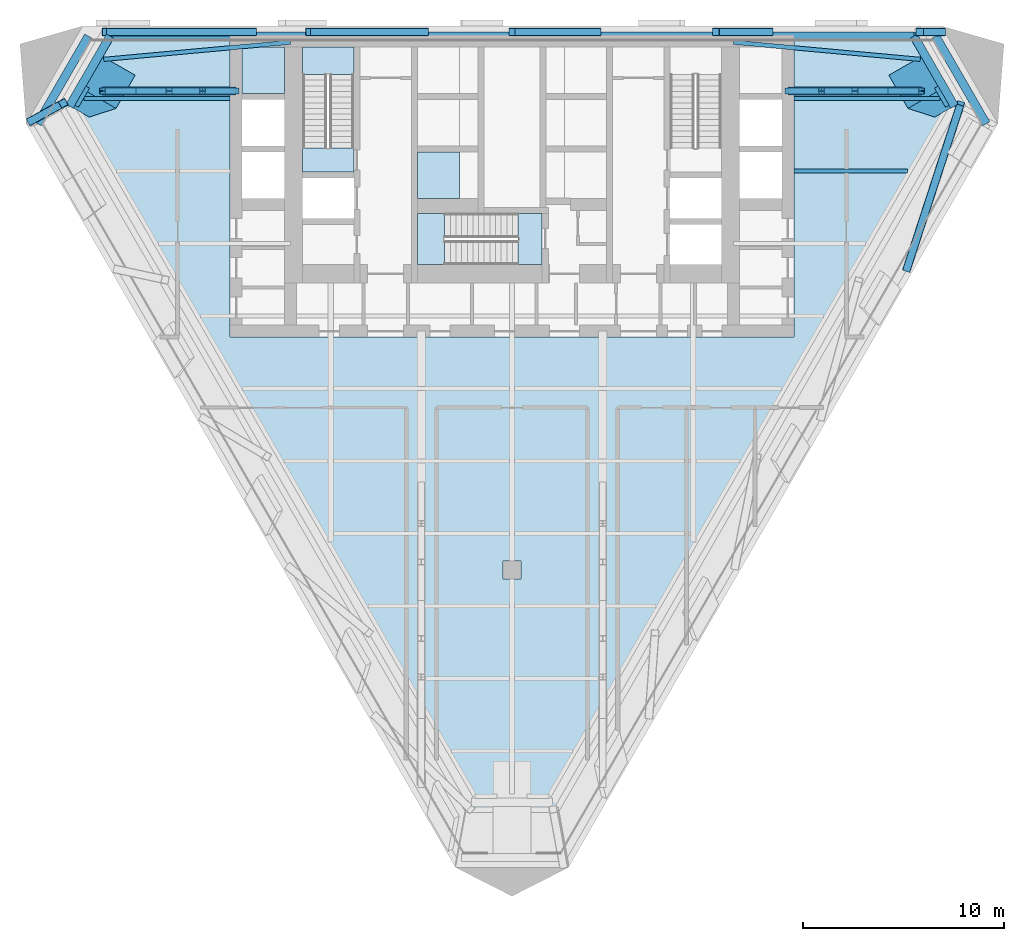
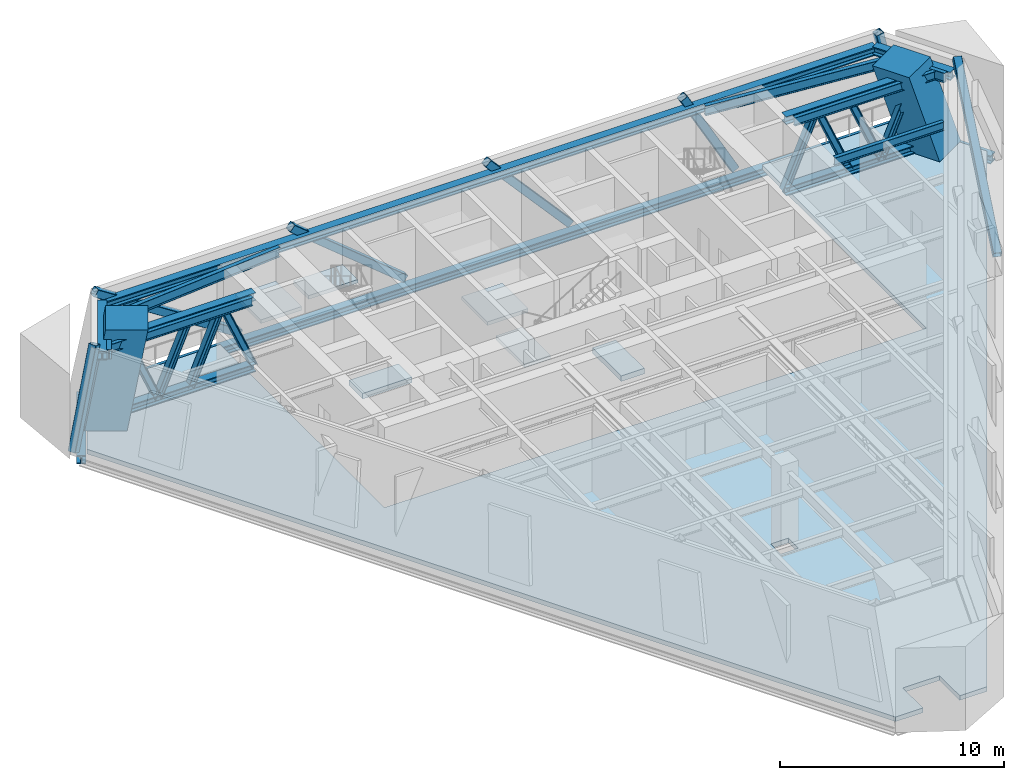
# One storey, part 2 of 12: 17 beams, 17 members, 7 slabs, 2 elements without a shape of their own.
"""IFC4 building model written with IfcOpenShell, lengths in metres."""

from ifc_helpers import new_model, si_unit, direction, frame, origin, origin_2d, place, context, subcontext, project, spatial, polyline, rectangle, hollow_rectangle, i_section, outline, extrude, material, layer, layer_set, material_profile, profile_set, type_object, element, aggregate, save


model = new_model("IFC4")

# Units and contexts
model_context = context("Model", 3, precision=1e-05, world=origin(), true_north=direction((0.0, 1.0)))
body_context = subcontext(model_context, "Body", "Model", "MODEL_VIEW")
ifc_project = project(units=[si_unit("LENGTHUNIT", "METRE"), si_unit("AREAUNIT", "SQUARE_METRE"), si_unit("VOLUMEUNIT", "CUBIC_METRE"), si_unit("PLANEANGLEUNIT", "RADIAN"), si_unit("MASSUNIT", "GRAM", prefix="KILO")], contexts=[model_context])

# Site, building, storey
site_placement = place(None, origin())
site = spatial("IfcSite", under=ifc_project, at=site_placement, CompositionType="ELEMENT")
building_placement = place(site_placement, origin())
building = spatial("IfcBuilding", under=site, at=building_placement, Name="Aloe Facet Convention Tower", CompositionType="ELEMENT")
storey_placement = place(building_placement, frame((0.0, 0.0, 123.800048828125)))
storey = spatial("IfcBuildingStorey", under=building, at=storey_placement, Name="L31", CompositionType="ELEMENT", Elevation=123.800048828125)

# Beams
ifc_material_1 = material(Name="Steel S355", Category="steel")
ifc_material_profile_1 = material_profile(ifc_material_1, i_section(OverallWidth=0.19140625, OverallDepth=0.4599609375, WebThickness=0.010009765625, FlangeThickness=0.01611328125, FilletRadius=0.01025390625, at=origin_2d()), Name="UB 457x191x82")
ifc_profile_set_1 = profile_set([ifc_material_profile_1], Name="Steel S355")
beam_type_1 = type_object("IfcBeamType", Name="SF-B-UB457x191x82", PredefinedType="BEAM", material=ifc_profile_set_1)
beam_1_placement = place(storey_placement, frame((58.73828125, 131.39990234375, 4.119873046875), z_axis=(1.0, 0.0, 0.0), x_axis=(0.0, 1.0, 0.0)))
element("IfcBeam", 1, at=beam_1_placement, inside=storey, type_object=beam_type_1, Name="Floor beam FB-Z3A-013", PredefinedType="BEAM", context=body_context, shape_type="SweptSolid", body=[
    extrude(i_section(OverallWidth=0.19140625, OverallDepth=0.4599609375, WebThickness=0.010009765625, FlangeThickness=0.01611328125, FilletRadius=0.01025390625, at=origin_2d()), origin(), (0.0, 0.0, 1.0), 7.26171875),
])
beam_2_placement = place(storey_placement, frame((94.0, 127.800048828125, 4.119873046875), z_axis=(1.0, 0.0, 0.0), x_axis=(0.0, 1.0, 0.0)))
element("IfcBeam", 2, at=beam_2_placement, inside=storey, type_object=beam_type_1, Name="Floor beam FB-Z3A-037", PredefinedType="BEAM", context=body_context, shape_type="SweptSolid", body=[
    extrude(i_section(OverallWidth=0.19140625, OverallDepth=0.4599609375, WebThickness=0.010009765625, FlangeThickness=0.01611328125, FilletRadius=0.01025390625, at=origin_2d()), origin(), (0.0, 0.0, 1.0), 5.626220703125),
])
beam_3_placement = place(storey_placement, frame((94.0, 131.39990234375, 4.119873046875), z_axis=(1.0, 0.0, 0.0), x_axis=(0.0, 1.0, 0.0)))
element("IfcBeam", 3, at=beam_3_placement, inside=storey, type_object=beam_type_1, Name="Floor beam FB-Z3A-038", PredefinedType="BEAM", context=body_context, shape_type="SweptSolid", body=[
    extrude(i_section(OverallWidth=0.19140625, OverallDepth=0.4599609375, WebThickness=0.010009765625, FlangeThickness=0.01611328125, FilletRadius=0.01025390625, at=origin_2d()), origin(), (0.0, 0.0, 1.0), 7.26171875),
])
ifc_material_2 = material(Name="Steel S355", Category="steel")
ifc_material_profile_2 = material_profile(ifc_material_2, i_section(OverallWidth=0.209228515625, OverallDepth=0.533203125, WebThickness=0.010009765625, FlangeThickness=0.015625, FilletRadius=0.0126953125, at=origin_2d()), Name="UB 533x210x92")
ifc_profile_set_2 = profile_set([ifc_material_profile_2], Name="Steel S355")
beam_type_2 = type_object("IfcBeamType", Name="SF-B-UB533x210x92", PredefinedType="BEAM", material=ifc_profile_set_2)
beam_4_placement = place(storey_placement, frame((58.385986328125, 131.016357421875, 4.08349609375), z_axis=(0.50002983664, 0.866008176907, 0.0), x_axis=(-0.866008176907, 0.50002983664, 0.0)))
element("IfcBeam", 4, at=beam_4_placement, inside=storey, type_object=beam_type_2, Name="Floor beam FB-Z3A-001", PredefinedType="BEAM", context=body_context, shape_type="SweptSolid", body=[
    extrude(i_section(OverallWidth=0.209228515625, OverallDepth=0.533203125, WebThickness=0.010009765625, FlangeThickness=0.015625, FilletRadius=0.0126953125, at=origin_2d()), origin(), (0.0, 0.0, 1.0), 1.10009765625),
])
for number, where, z_axis, x_axis, name in (
    (5, (59.72998046875, 133.34423828125, 4.08349609375), (0.99581198103, 0.091424823963, 0.0), (-0.091424823963, 0.99581198103, 0.0), "Floor beam FB-Z3A-002"),
    (6, (100.27001953125, 133.34423828125, 4.08349609375), (-0.99581198103, 0.091424823963, 0.0), (-0.091424823963, -0.99581198103, 0.0), "Floor beam FB-Z3A-006"),
):
    element("IfcBeam", number, at=place(storey_placement, frame(where, z_axis=z_axis, x_axis=x_axis)), inside=storey, type_object=beam_type_2, Name=name, PredefinedType="BEAM", context=body_context, shape_type="SweptSolid", body=[
        extrude(i_section(OverallWidth=0.209228515625, OverallDepth=0.533203125, WebThickness=0.010009765625, FlangeThickness=0.015625, FilletRadius=0.0126953125, at=origin_2d()), origin(), (0.0, 0.0, 1.0), 9.30908203125),
    ])
beam_5_placement = place(storey_placement, frame((101.06396484375, 131.968994140625, 4.08349609375), z_axis=(0.50002983664, -0.866008176907, 0.0), x_axis=(0.866008176907, 0.50002983664, 0.0)))
element("IfcBeam", 7, at=beam_5_placement, inside=storey, type_object=beam_type_2, Name="Floor beam FB-Z3A-007", PredefinedType="BEAM", context=body_context, shape_type="SweptSolid", body=[
    extrude(i_section(OverallWidth=0.209228515625, OverallDepth=0.533203125, WebThickness=0.010009765625, FlangeThickness=0.015625, FilletRadius=0.0126953125, at=origin_2d()), origin(), (0.0, 0.0, 1.0), 1.10009765625),
])
ifc_material_3 = material(Name="Steel S355", Category="steel")
ifc_material_profile_3 = material_profile(ifc_material_3, i_section(OverallWidth=0.41845703125, OverallDepth=0.45556640625, WebThickness=0.0419921875, FlangeThickness=0.0576171875, FilletRadius=0.01513671875, at=origin_2d()), Name="UC 356x406x551")
ifc_profile_set_3 = profile_set([ifc_material_profile_3], Name="Steel S355")
beam_type_3 = type_object("IfcBeamType", Name="STW-BC-L31", PredefinedType="BEAM", material=ifc_profile_set_3)
for number, where, z_axis, x_axis, name in (
    (8, (101.032958984375, 134.5, -0.477783203125), (0.499976312931, -0.866039079088, 0.0), (0.866039079088, 0.499976312931, 0.0), "Belt chord BC-L31-L-01"),
    (9, (56.455810546875, 130.150146484375, -0.477783203125), (0.499976312931, 0.866039079088, 0.0), (-0.866039079088, 0.499976312931, 0.0), "Belt chord BC-L31-L-05"),
):
    element("IfcBeam", number, at=place(storey_placement, frame(where, z_axis=z_axis, x_axis=x_axis)), inside=storey, type_object=beam_type_3, Name=name, PredefinedType="BEAM", context=body_context, shape_type="SweptSolid", body=[
        extrude(i_section(OverallWidth=0.41845703125, OverallDepth=0.45556640625, WebThickness=0.0419921875, FlangeThickness=0.0576171875, FilletRadius=0.01513671875, at=origin_2d()), origin(), (0.0, 0.0, 1.0), 5.022705078125),
    ])
beam_6_placement = place(storey_placement, frame((58.967041015625, 134.5, -0.477783203125), z_axis=(1.0, 0.0, 0.0), x_axis=(0.0, 1.0, 0.0)))
element("IfcBeam", 10, at=beam_6_placement, inside=storey, type_object=beam_type_3, Name="Belt chord BC-L31-L-06", PredefinedType="BEAM", context=body_context, shape_type="SweptSolid", body=[
    extrude(i_section(OverallWidth=0.41845703125, OverallDepth=0.45556640625, WebThickness=0.0419921875, FlangeThickness=0.0576171875, FilletRadius=0.01513671875, at=origin_2d()), origin(), (0.0, 0.0, 1.0), 42.06591796875),
])
for number, where, z_axis, x_axis, name in (
    (11, (99.954345703125, 134.5, 4.1220703125), (0.500035914075, -0.866004667791, 0.0), (0.866004667791, 0.500035914075, 0.0), "Belt chord BC-L31-U-01"),
    (12, (58.0341796875, 131.016357421875, 4.1220703125), (0.500035914075, 0.866004667791, 0.0), (-0.866004667791, 0.500035914075, 0.0), "Belt chord BC-L31-U-05"),
):
    element("IfcBeam", number, at=place(storey_placement, frame(where, z_axis=z_axis, x_axis=x_axis)), inside=storey, type_object=beam_type_3, Name=name, PredefinedType="BEAM", context=body_context, shape_type="SweptSolid", body=[
        extrude(i_section(OverallWidth=0.41845703125, OverallDepth=0.45556640625, WebThickness=0.0419921875, FlangeThickness=0.0576171875, FilletRadius=0.01513671875, at=origin_2d()), origin(), (0.0, 0.0, 1.0), 4.022705078125),
    ])
beam_7_placement = place(storey_placement, frame((60.045654296875, 134.5, 4.1220703125), z_axis=(1.0, 0.0, 0.0), x_axis=(0.0, 1.0, 0.0)))
element("IfcBeam", 13, at=beam_7_placement, inside=storey, type_object=beam_type_3, Name="Belt chord BC-L31-U-06", PredefinedType="BEAM", context=body_context, shape_type="SweptSolid", body=[
    extrude(i_section(OverallWidth=0.41845703125, OverallDepth=0.45556640625, WebThickness=0.0419921875, FlangeThickness=0.0576171875, FilletRadius=0.01513671875, at=origin_2d()), origin(), (0.0, 0.0, 1.0), 39.90869140625),
])

# Members
ifc_material_4 = material(Name="Steel S355", Category="steel")
ifc_material_profile_4 = material_profile(ifc_material_4, hollow_rectangle(XDim=0.39990234375, YDim=0.39990234375, WallThickness=0.01611328125, InnerFilletRadius=0.01611328125, OuterFilletRadius=0.031982421875, at=origin_2d()), Name="SHS 400x400x16")
ifc_profile_set_4 = profile_set([ifc_material_profile_4], Name="Steel S355")
member_type_1 = type_object("IfcMemberType", Name="STW-BW-L31", PredefinedType="BRACE", material=ifc_profile_set_4)
member_1_placement = place(storey_placement, frame((101.321533203125, 134.699951171875, 0.0), z_axis=(-0.219194534934, 0.0, 0.97568117531), x_axis=(0.0, -1.0, 0.0)))
element("IfcMember", 14, at=member_1_placement, inside=storey, type_object=member_type_1, Name="Belt web BW-L31-F1-01", PredefinedType="BRACE", context=body_context, shape_type="SweptSolid", body=[
    extrude(hollow_rectangle(XDim=0.39990234375, YDim=0.39990234375, WallThickness=0.01611328125, InnerFilletRadius=0.01611328125, OuterFilletRadius=0.031982421875, at=origin_2d()), origin(), (0.0, 0.0, 1.0), 4.919677734375),
])
member_2_placement = place(storey_placement, frame((92.79296875, 134.699951171875, 0.0), z_axis=(-0.486295605133, 0.0, 0.873794360493), x_axis=(0.0, -1.0, 0.0)))
element("IfcMember", 15, at=member_2_placement, inside=storey, type_object=member_type_1, Name="Belt web BW-L31-F1-02", PredefinedType="BRACE", context=body_context, shape_type="SweptSolid", body=[
    extrude(hollow_rectangle(XDim=0.39990234375, YDim=0.39990234375, WallThickness=0.01611328125, InnerFilletRadius=0.01611328125, OuterFilletRadius=0.031982421875, at=origin_2d()), origin(), (0.0, 0.0, 1.0), 5.493408203125),
])
member_3_placement = place(storey_placement, frame((84.264404296875, 134.699951171875, 0.0), z_axis=(-0.664163206124, 0.0, 0.747587610672), x_axis=(0.0, -1.0, 0.0)))
element("IfcMember", 16, at=member_3_placement, inside=storey, type_object=member_type_1, Name="Belt web BW-L31-F1-03", PredefinedType="BRACE", context=body_context, shape_type="SweptSolid", body=[
    extrude(hollow_rectangle(XDim=0.39990234375, YDim=0.39990234375, WallThickness=0.01611328125, InnerFilletRadius=0.01611328125, OuterFilletRadius=0.031982421875, at=origin_2d()), origin(), (0.0, 0.0, 1.0), 6.420654296875),
])
member_4_placement = place(storey_placement, frame((75.735595703125, 134.699951171875, 0.0), z_axis=(-0.773451439174, 0.0, 0.633855560235), x_axis=(0.0, -1.0, 0.0)))
element("IfcMember", 17, at=member_4_placement, inside=storey, type_object=member_type_1, Name="Belt web BW-L31-F1-04", PredefinedType="BRACE", context=body_context, shape_type="SweptSolid", body=[
    extrude(hollow_rectangle(XDim=0.39990234375, YDim=0.39990234375, WallThickness=0.01611328125, InnerFilletRadius=0.01611328125, OuterFilletRadius=0.031982421875, at=origin_2d()), origin(), (0.0, 0.0, 1.0), 7.57275390625),
])
member_5_placement = place(storey_placement, frame((67.20703125, 134.699951171875, 0.0), z_axis=(-0.840632073938, 0.0, 0.541606606557), x_axis=(0.0, -1.0, 0.0)))
element("IfcMember", 18, at=member_5_placement, inside=storey, type_object=member_type_1, Name="Belt web BW-L31-F1-05", PredefinedType="BRACE", context=body_context, shape_type="SweptSolid", body=[
    extrude(hollow_rectangle(XDim=0.39990234375, YDim=0.39990234375, WallThickness=0.01611328125, InnerFilletRadius=0.01611328125, OuterFilletRadius=0.031982421875, at=origin_2d()), origin(), (0.0, 0.0, 1.0), 8.862548828125),
])
member_6_placement = place(storey_placement, frame((56.13818359375, 130.30029296875, 0.0), z_axis=(0.30792386425, 0.16891524072, 0.93629617925), x_axis=(-0.480950302072, 0.876747858245, 0.0)))
element("IfcMember", 19, at=member_6_placement, inside=storey, type_object=member_type_1, Name="Belt web BW-L31-F2-01", PredefinedType="BRACE", context=body_context, shape_type="SweptSolid", body=[
    extrude(hollow_rectangle(XDim=0.39990234375, YDim=0.39990234375, WallThickness=0.01611328125, InnerFilletRadius=0.01611328125, OuterFilletRadius=0.031982421875, at=origin_2d()), origin(), (0.0, 0.0, 1.0), 5.126708984375),
])
member_7_placement = place(storey_placement, frame((99.597412109375, 122.914306640625, 0.0), z_axis=(0.270824509701, 0.832094212153, 0.48401787885), x_axis=(-0.950901664966, 0.30949317208, 0.0)))
element("IfcMember", 20, at=member_7_placement, inside=storey, type_object=member_type_1, Name="Belt web BW-L31-F3-05", PredefinedType="BRACE", context=body_context, shape_type="SweptSolid", body=[
    extrude(hollow_rectangle(XDim=0.39990234375, YDim=0.39990234375, WallThickness=0.01611328125, InnerFilletRadius=0.01611328125, OuterFilletRadius=0.031982421875, at=origin_2d()), origin(), (0.0, 0.0, 1.0), 9.9169921875),
])
ifc_material_5 = material(Name="Concrete C80/95", Category="concrete")
ifc_material_profile_5 = material_profile(ifc_material_5, rectangle(XDim=1.89990234375, YDim=1.89990234375, at=origin_2d()), Name="STW-MJ-Z2")
ifc_profile_set_5 = profile_set([ifc_material_profile_5], Name="Concrete C80/95")
member_type_2 = type_object("IfcMemberType", Name="STW-MJ-Z2", PredefinedType="STRUT", material=ifc_profile_set_5)
member_8_placement = place(storey_placement, frame((101.3359375, 131.775146484375, 0.0), z_axis=(0.0, 0.0, 1.0), x_axis=(-0.5, 0.866025403784, 0.0)))
element("IfcMember", 21, at=member_8_placement, inside=storey, type_object=member_type_2, Name="Transfer jog MC-NE-L31", PredefinedType="STRUT", context=body_context, shape_type="SweptSolid", body=[
    extrude(rectangle(XDim=1.89990234375, YDim=1.89990234375, at=origin_2d()), origin(), (0.20790541358, 0.186837202367, 0.960139155964), 4.999267578125),
])
member_9_placement = place(storey_placement, frame((58.6640625, 131.775146484375, 0.0), z_axis=(0.0, 0.0, 1.0), x_axis=(-0.5, -0.866025403784, 0.0)))
element("IfcMember", 22, at=member_9_placement, inside=storey, type_object=member_type_2, Name="Transfer jog MC-NW-L31", PredefinedType="STRUT", context=body_context, shape_type="SweptSolid", body=[
    extrude(rectangle(XDim=1.89990234375, YDim=1.89990234375, at=origin_2d()), origin(), (-0.20790541358, 0.186837202367, 0.960139155964), 4.999267578125),
])

# Beams
ifc_material_6 = material(Name="Steel S355", Category="steel")
ifc_material_profile_6 = material_profile(ifc_material_6, i_section(OverallWidth=0.412109375, OverallDepth=0.4365234375, WebThickness=0.035888671875, FlangeThickness=0.048095703125, FilletRadius=0.01513671875, at=origin_2d()), Name="UC 356x406x467")
ifc_profile_set_6 = profile_set([ifc_material_profile_6], Name="Steel S355")
beam_type_4 = type_object("IfcBeamType", Name="STW-OC-L31", PredefinedType="BEAM", material=ifc_profile_set_6)
for number, where, z_axis, x_axis, name in (
    (23, (93.699951171875, 131.775146484375, 0.248291015625), (1.0, 0.0, 0.0), (0.0, 1.0, 0.0), "Outrigger chord OR-L31-NE-B"),
    (24, (93.699951171875, 131.775146484375, 4.131591796875), (1.0, 0.0, 0.0), (0.0, 1.0, 0.0), "Outrigger chord OR-L31-NE-T"),
    (25, (66.300048828125, 131.775146484375, 0.248291015625), (-1.0, 0.0, 0.0), (0.0, -1.0, 0.0), "Outrigger chord OR-L31-NW-B"),
    (26, (66.300048828125, 131.775146484375, 4.131591796875), (-1.0, 0.0, 0.0), (0.0, -1.0, 0.0), "Outrigger chord OR-L31-NW-T"),
):
    element("IfcBeam", number, at=place(storey_placement, frame(where, z_axis=z_axis, x_axis=x_axis)), inside=storey, type_object=beam_type_4, Name=name, PredefinedType="BEAM", context=body_context, shape_type="SweptSolid", body=[
        extrude(i_section(OverallWidth=0.412109375, OverallDepth=0.4365234375, WebThickness=0.035888671875, FlangeThickness=0.048095703125, FilletRadius=0.01513671875, at=origin_2d()), origin(), (0.0, 0.0, 1.0), 6.63818359375),
    ])

# Members
ifc_material_7 = material(Name="Steel S355", Category="steel")
ifc_material_profile_7 = material_profile(ifc_material_7, i_section(OverallWidth=0.311279296875, OverallDepth=0.3271484375, WebThickness=0.015869140625, FlangeThickness=0.02490234375, FilletRadius=0.01513671875, at=origin_2d()), Name="UC 305x305x158")
ifc_profile_set_7 = profile_set([ifc_material_profile_7], Name="Steel S355")
member_type_3 = type_object("IfcMemberType", Name="STW-OD-L31", PredefinedType="BRACE", material=ifc_profile_set_7)
member_10_placement = place(storey_placement, frame((93.699951171875, 131.775146484375, 0.248291015625), z_axis=(0.392998114288, 0.0, 0.91953927712), x_axis=(0.0, 1.0, 0.0)))
element("IfcMember", 27, at=member_10_placement, inside=storey, type_object=member_type_3, Name="Outrigger diagonal OR-L31-NE-D01", PredefinedType="BRACE", context=body_context, shape_type="SweptSolid", body=[
    extrude(i_section(OverallWidth=0.311279296875, OverallDepth=0.3271484375, WebThickness=0.015869140625, FlangeThickness=0.02490234375, FilletRadius=0.01513671875, at=origin_2d()), origin(), (0.0, 0.0, 1.0), 4.22314453125),
])
member_11_placement = place(storey_placement, frame((95.359619140625, 131.775146484375, 4.131591796875), z_axis=(0.39294923052, 0.0, -0.919560167816), x_axis=(0.0, 1.0, 0.0)))
element("IfcMember", 28, at=member_11_placement, inside=storey, type_object=member_type_3, Name="Outrigger diagonal OR-L31-NE-D02", PredefinedType="BRACE", context=body_context, shape_type="SweptSolid", body=[
    extrude(i_section(OverallWidth=0.311279296875, OverallDepth=0.3271484375, WebThickness=0.015869140625, FlangeThickness=0.02490234375, FilletRadius=0.01513671875, at=origin_2d()), origin(), (0.0, 0.0, 1.0), 4.222900390625),
])
member_12_placement = place(storey_placement, frame((97.01904296875, 131.775146484375, 4.131591796875), z_axis=(0.392998114288, 0.0, -0.91953927712), x_axis=(0.0, 1.0, 0.0)))
element("IfcMember", 29, at=member_12_placement, inside=storey, type_object=member_type_3, Name="Outrigger diagonal OR-L31-NE-D03", PredefinedType="BRACE", context=body_context, shape_type="SweptSolid", body=[
    extrude(i_section(OverallWidth=0.311279296875, OverallDepth=0.3271484375, WebThickness=0.015869140625, FlangeThickness=0.02490234375, FilletRadius=0.01513671875, at=origin_2d()), origin(), (0.0, 0.0, 1.0), 4.22314453125),
])
member_13_placement = place(storey_placement, frame((98.6787109375, 131.775146484375, 0.248291015625), z_axis=(0.39294923052, 0.0, 0.919560167816), x_axis=(0.0, 1.0, 0.0)))
element("IfcMember", 30, at=member_13_placement, inside=storey, type_object=member_type_3, Name="Outrigger diagonal OR-L31-NE-D04", PredefinedType="BRACE", context=body_context, shape_type="SweptSolid", body=[
    extrude(i_section(OverallWidth=0.311279296875, OverallDepth=0.3271484375, WebThickness=0.015869140625, FlangeThickness=0.02490234375, FilletRadius=0.01513671875, at=origin_2d()), origin(), (0.0, 0.0, 1.0), 4.222900390625),
])
member_14_placement = place(storey_placement, frame((66.300048828125, 131.775146484375, 0.248291015625), z_axis=(-0.392998114288, 0.0, 0.91953927712), x_axis=(0.0, -1.0, 0.0)))
element("IfcMember", 31, at=member_14_placement, inside=storey, type_object=member_type_3, Name="Outrigger diagonal OR-L31-NW-D01", PredefinedType="BRACE", context=body_context, shape_type="SweptSolid", body=[
    extrude(i_section(OverallWidth=0.311279296875, OverallDepth=0.3271484375, WebThickness=0.015869140625, FlangeThickness=0.02490234375, FilletRadius=0.01513671875, at=origin_2d()), origin(), (0.0, 0.0, 1.0), 4.22314453125),
])
member_15_placement = place(storey_placement, frame((64.640380859375, 131.775146484375, 4.131591796875), z_axis=(-0.39294923052, 0.0, -0.919560167816), x_axis=(0.0, -1.0, 0.0)))
element("IfcMember", 32, at=member_15_placement, inside=storey, type_object=member_type_3, Name="Outrigger diagonal OR-L31-NW-D02", PredefinedType="BRACE", context=body_context, shape_type="SweptSolid", body=[
    extrude(i_section(OverallWidth=0.311279296875, OverallDepth=0.3271484375, WebThickness=0.015869140625, FlangeThickness=0.02490234375, FilletRadius=0.01513671875, at=origin_2d()), origin(), (0.0, 0.0, 1.0), 4.222900390625),
])
member_16_placement = place(storey_placement, frame((62.98095703125, 131.775146484375, 4.131591796875), z_axis=(-0.392998114288, 0.0, -0.91953927712), x_axis=(0.0, -1.0, 0.0)))
element("IfcMember", 33, at=member_16_placement, inside=storey, type_object=member_type_3, Name="Outrigger diagonal OR-L31-NW-D03", PredefinedType="BRACE", context=body_context, shape_type="SweptSolid", body=[
    extrude(i_section(OverallWidth=0.311279296875, OverallDepth=0.3271484375, WebThickness=0.015869140625, FlangeThickness=0.02490234375, FilletRadius=0.01513671875, at=origin_2d()), origin(), (0.0, 0.0, 1.0), 4.22314453125),
])
member_17_placement = place(storey_placement, frame((61.3212890625, 131.775146484375, 0.248291015625), z_axis=(-0.39294923052, 0.0, 0.919560167816), x_axis=(0.0, -1.0, 0.0)))
element("IfcMember", 34, at=member_17_placement, inside=storey, type_object=member_type_3, Name="Outrigger diagonal OR-L31-NW-D04", PredefinedType="BRACE", context=body_context, shape_type="SweptSolid", body=[
    extrude(i_section(OverallWidth=0.311279296875, OverallDepth=0.3271484375, WebThickness=0.015869140625, FlangeThickness=0.02490234375, FilletRadius=0.01513671875, at=origin_2d()), origin(), (0.0, 0.0, 1.0), 4.222900390625),
])

# Slabs
ifc_material_8 = material(Name="Concrete C70/85", Category="concrete")
ifc_layer_1 = layer(ifc_material_8, 0.300048828125)
ifc_layer_set_1 = layer_set([ifc_layer_1], Name="CR-S-FLOOR300-C7085")
slab_type_1 = type_object("IfcSlabType", Name="CR-S-FLOOR300-C7085", PredefinedType="FLOOR", material=ifc_layer_set_1)
slab_1_placement = place(storey_placement, frame((0.0, 0.0, -0.300048828125)))
element("IfcSlab", 35, at=slab_1_placement, inside=storey, type_object=slab_type_1, Name="Stair landing floor L31", PredefinedType="FLOOR", context=body_context, shape_type="SweptSolid", body=[
    extrude(outline(polyline([(72.14990234375, 127.75), (72.14990234375, 128.951171875), (69.60009765625, 128.951171875), (69.60009765625, 127.75), (72.14990234375, 127.75)])), origin(), (0.0, 0.0, 1.0), 0.300048828125),
])
slab_2_placement = place(storey_placement, frame((0.0, 0.0, -0.300048828125)))
element("IfcSlab", 36, at=slab_2_placement, inside=storey, type_object=slab_type_1, Name="Stair landing floor L31", PredefinedType="FLOOR", context=body_context, shape_type="SweptSolid", body=[
    extrude(outline(polyline([(81.5, 125.699951171875), (80.298828125, 125.699951171875), (80.298828125, 123.14990234375), (81.5, 123.14990234375), (81.5, 125.699951171875)])), origin(), (0.0, 0.0, 1.0), 0.300048828125),
])
ifc_material_9 = material(Name="Concrete C70/85", Category="concrete")
ifc_layer_2 = layer(ifc_material_9, 0.199951171875)
ifc_layer_set_2 = layer_set([ifc_layer_2], Name="CR-S-LID200-C7085")
slab_type_2 = type_object("IfcSlabType", Name="CR-S-LID200-C7085", PredefinedType="ROOF", material=ifc_layer_set_2)
slab_3_placement = place(storey_placement, frame((0.0, 0.0, 2.5)))
element("IfcSlab", 37, at=slab_3_placement, inside=storey, type_object=slab_type_2, Name="Lift shaft lid A3", PredefinedType="ROOF", context=body_context, shape_type="SweptSolid", body=[
    extrude(outline(polyline([(77.401123046875, 128.751220703125), (77.401123046875, 126.44873046875), (75.298828125, 126.44873046875), (75.298828125, 128.751220703125), (77.401123046875, 128.751220703125)])), origin(), (0.0, 0.0, 1.0), 0.199951171875),
])
slab_4_placement = place(storey_placement, frame((0.0, 0.0, 2.5)))
element("IfcSlab", 38, at=slab_4_placement, inside=storey, type_object=slab_type_2, Name="Lift shaft lid A7", PredefinedType="ROOF", context=body_context, shape_type="SweptSolid", body=[
    extrude(outline(polyline([(68.701171875, 133.951171875), (68.701171875, 131.648681640625), (66.598876953125, 131.648681640625), (66.598876953125, 133.951171875), (68.701171875, 133.951171875)])), origin(), (0.0, 0.0, 1.0), 0.199951171875),
])

# Stair, slab
ifc_material_10 = material(Name="Concrete C50/60", Category="concrete")
stair_type = type_object("IfcStairType", Name="CR-ST-28R", PredefinedType="HALF_TURN_STAIR", material=ifc_material_10)
stair_1_placement = place(storey_placement, origin())
stair_1 = element("IfcStair", 39, at=stair_1_placement, inside=storey, type_object=stair_type, Name="L31 Protected exit stair ST1", PredefinedType="HALF_TURN_STAIR")
ifc_material_11 = material(Name="Concrete C50/60", Category="concrete")
ifc_layer_3 = layer(ifc_material_11, 0.199951171875)
ifc_layer_set_3 = layer_set([ifc_layer_3], Name="CR-SL-LANDING")
slab_type_3 = type_object("IfcSlabType", Name="CR-SL-LANDING", PredefinedType="LANDING", material=ifc_layer_set_3)
slab_5_placement = place(storey_placement, frame((0.0, 0.0, 2.199951171875)))
slab_5 = element("IfcSlab", 40, at=slab_5_placement, type_object=slab_type_3, Name="ST1 landing 1", PredefinedType="LANDING", context=body_context, shape_type="SweptSolid", body=[
    extrude(outline(polyline([(72.14990234375, 132.590087890625), (72.14990234375, 133.949951171875), (69.60009765625, 133.949951171875), (69.60009765625, 132.590087890625), (72.14990234375, 132.590087890625)])), origin(), (0.0, 0.0, 1.0), 0.199951171875),
])
aggregate(stair_1, [slab_5])

stair_2_placement = place(storey_placement, origin())
stair_2 = element("IfcStair", 41, at=stair_2_placement, inside=storey, type_object=stair_type, Name="L31 Protected exit stair ST3", PredefinedType="HALF_TURN_STAIR")
slab_6_placement = place(storey_placement, frame((0.0, 0.0, 2.199951171875)))
slab_6 = element("IfcSlab", 42, at=slab_6_placement, type_object=slab_type_3, Name="ST3 landing 1", PredefinedType="LANDING", context=body_context, shape_type="SweptSolid", body=[
    extrude(outline(polyline([(76.659912109375, 125.699951171875), (75.300048828125, 125.699951171875), (75.300048828125, 123.14990234375), (76.659912109375, 123.14990234375), (76.659912109375, 125.699951171875)])), origin(), (0.0, 0.0, 1.0), 0.199951171875),
])
aggregate(stair_2, [slab_6])

# Slab
ifc_material_12 = material(Name="Concrete C35/45", Category="concrete")
ifc_layer_4 = layer(ifc_material_12, 0.25)
ifc_layer_set_4 = layer_set([ifc_layer_4], Name="SF-FS-250")
slab_type_4 = type_object("IfcSlabType", Name="SF-FS-250", PredefinedType="FLOOR", material=ifc_layer_set_4)
slab_7_placement = place(storey_placement, frame((0.0, 0.0, -0.25)))
element("IfcSlab", 43, at=slab_7_placement, inside=storey, type_object=slab_type_4, Name="Floor slab L31-1", PredefinedType="FLOOR", context=body_context, shape_type="SweptSolid", body=[
    extrude(outline(polyline([(101.596923828125, 133.02294921875), (100.0380859375, 132.122802734375), (100.98828125, 130.477294921875), (102.547119140625, 131.37744140625), (103.255615234375, 130.150390625), (82.366943359375, 93.97021484375), (80.949951171875, 93.97021484375), (80.949951171875, 95.770263671875), (79.050048828125, 95.770263671875), (79.050048828125, 93.97021484375), (77.633056640625, 93.97021484375), (56.744384765625, 130.150390625), (57.452880859375, 131.37744140625), (59.01171875, 130.477294921875), (59.9619140625, 132.122802734375), (58.403076171875, 133.02294921875), (59.111572265625, 134.25), (66.0, 134.25), (66.0, 131.949951171875), (66.0, 131.050048828125), (66.0, 129.35009765625), (66.0, 128.449951171875), (66.0, 126.449951171875), (66.0, 125.85009765625), (66.0, 124.5), (66.0, 123.449951171875), (66.0, 122.550048828125), (66.0, 121.5), (66.0, 119.550048828125), (69.300048828125, 119.550048828125), (72.10009765625, 119.550048828125), (73.14990234375, 119.550048828125), (74.300048828125, 119.550048828125), (75.35009765625, 119.550048828125), (77.5, 119.550048828125), (78.550048828125, 119.550048828125), (80.699951171875, 119.550048828125), (81.75, 119.550048828125), (82.64990234375, 119.550048828125), (83.699951171875, 119.550048828125), (84.64990234375, 119.550048828125), (85.699951171875, 119.550048828125), (86.85009765625, 119.550048828125), (87.89990234375, 119.550048828125), (88.550048828125, 119.550048828125), (89.60009765625, 119.550048828125), (90.699951171875, 119.550048828125), (94.0, 119.550048828125), (94.0, 121.5), (94.0, 122.550048828125), (94.0, 123.449951171875), (94.0, 124.5), (94.0, 125.85009765625), (94.0, 126.449951171875), (94.0, 128.449951171875), (94.0, 129.35009765625), (94.0, 131.050048828125), (94.0, 131.949951171875), (94.0, 134.25), (100.888427734375, 134.25), (101.596923828125, 133.02294921875)]), holes=[polyline([(79.550048828125, 107.550048828125), (80.449951171875, 107.550048828125), (80.449951171875, 108.449951171875), (79.550048828125, 108.449951171875), (79.550048828125, 107.550048828125)])]), origin(), (0.0, 0.0, 1.0), 0.25),
])

save(model, "model.ifc")
